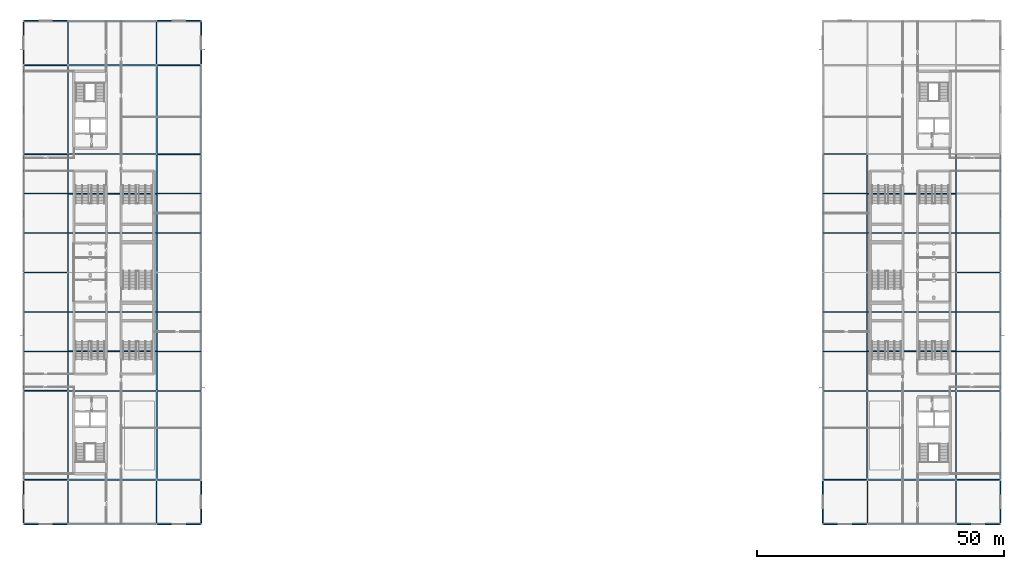
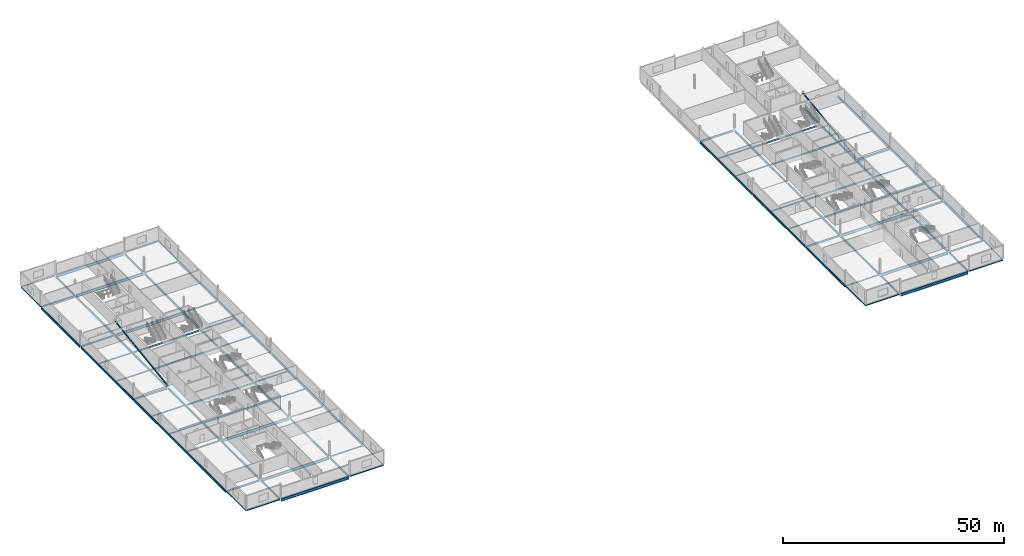
# One storey, part 9 of 27: 93 beams, 2 members.
"""IFC4 building model written with IfcOpenShell, lengths in metres."""

from ifc_helpers import new_model, si_unit, direction, frame, origin, origin_2d, place, context, subcontext, project, spatial, hollow_rectangle, i_section, extrude, material, material_profile, profile_set, type_object, element, save


model = new_model("IFC4")

# Units and contexts
model_context = context("Model", 3, precision=1e-05, world=origin(), true_north=direction((0.0, 1.0)))
body_context = subcontext(model_context, "Body", "Model", "MODEL_VIEW")
ifc_project = project(units=[si_unit("LENGTHUNIT", "METRE"), si_unit("AREAUNIT", "SQUARE_METRE"), si_unit("VOLUMEUNIT", "CUBIC_METRE"), si_unit("PLANEANGLEUNIT", "RADIAN"), si_unit("MASSUNIT", "GRAM", prefix="KILO")], contexts=[model_context])

# Site, building, storey
site_placement = place(None, origin())
site = spatial("IfcSite", under=ifc_project, at=site_placement, CompositionType="ELEMENT")
building_placement = place(site_placement, origin())
building = spatial("IfcBuilding", under=site, at=building_placement, Name="Kisiwana Market Hall", CompositionType="ELEMENT")
storey_placement = place(building_placement, frame((0.0, 0.0, 41.699951171875)))
storey = spatial("IfcBuildingStorey", under=building, at=storey_placement, Name="L09", CompositionType="ELEMENT", Elevation=41.699951171875)

# Beams
ifc_material_1 = material(Name="Steel S355", Category="steel")
ifc_material_profile_1 = material_profile(ifc_material_1, i_section(OverallWidth=0.260009765625, OverallDepth=0.260009765625, WebThickness=0.010009765625, FlangeThickness=0.017578125, FilletRadius=0.02392578125, at=origin_2d()), Name="HEB 260")
ifc_profile_set_1 = profile_set([ifc_material_profile_1], Name="Steel S355")
beam_type_1 = type_object("IfcBeamType", Name="BM-GIRD-HEB260", PredefinedType="BEAM", material=ifc_profile_set_1)
beam_1_placement = place(storey_placement, frame((27.14599609375, 18.0, -0.46484375), z_axis=(1.0, 0.0, 0.0), x_axis=(0.0, 1.0, 0.0)))
element("IfcBeam", 1, at=beam_1_placement, inside=storey, type_object=beam_type_1, Name="Floor beam B-2282", PredefinedType="BEAM", context=body_context, shape_type="SweptSolid", body=[
    extrude(i_section(OverallWidth=0.260009765625, OverallDepth=0.260009765625, WebThickness=0.010009765625, FlangeThickness=0.017578125, FilletRadius=0.02392578125, at=origin_2d()), origin(), (0.0, 0.0, 1.0), 8.748046875),
])
ifc_material_2 = material(Name="Steel S355", Category="steel")
ifc_material_profile_2 = material_profile(ifc_material_2, i_section(OverallWidth=0.179931640625, OverallDepth=0.39990234375, WebThickness=0.008544921875, FlangeThickness=0.013427734375, FilletRadius=0.02099609375, at=origin_2d()), Name="IPE 400")
ifc_profile_set_2 = profile_set([ifc_material_profile_2], Name="Steel S355")
beam_type_2 = type_object("IfcBeamType", Name="BM-GIRD-IPE400", PredefinedType="BEAM", material=ifc_profile_set_2)
beam_2_placement = place(storey_placement, frame((0.10595703125, 36.0, -0.534912109375), z_axis=(1.0, 0.0, 0.0), x_axis=(0.0, 1.0, 0.0)))
element("IfcBeam", 2, at=beam_2_placement, inside=storey, type_object=beam_type_2, Name="Floor beam B-2286", PredefinedType="BEAM", context=body_context, shape_type="SweptSolid", body=[
    extrude(i_section(OverallWidth=0.179931640625, OverallDepth=0.39990234375, WebThickness=0.008544921875, FlangeThickness=0.013427734375, FilletRadius=0.02099609375, at=origin_2d()), origin(), (0.0, 0.0, 1.0), 8.748046875),
])
ifc_material_3 = material(Name="Steel S355", Category="steel")
ifc_material_profile_3 = material_profile(ifc_material_3, i_section(OverallWidth=0.199951171875, OverallDepth=0.5, WebThickness=0.01025390625, FlangeThickness=0.01611328125, FilletRadius=0.02099609375, at=origin_2d()), Name="IPE 500")
ifc_profile_set_3 = profile_set([ifc_material_profile_3], Name="Steel S355")
beam_type_3 = type_object("IfcBeamType", Name="BM-GIRD-IPE500", PredefinedType="BEAM", material=ifc_profile_set_3)
beam_3_placement = place(storey_placement, frame((0.10595703125, 18.0, -0.5849609375), z_axis=(1.0, 0.0, 0.0), x_axis=(0.0, 1.0, 0.0)))
element("IfcBeam", 3, at=beam_3_placement, inside=storey, type_object=beam_type_3, Name="Floor beam B-2280", PredefinedType="BEAM", context=body_context, shape_type="SweptSolid", body=[
    extrude(i_section(OverallWidth=0.199951171875, OverallDepth=0.5, WebThickness=0.01025390625, FlangeThickness=0.01611328125, FilletRadius=0.02099609375, at=origin_2d()), origin(), (0.0, 0.0, 1.0), 8.748046875),
])
ifc_material_4 = material(Name="Steel S355", Category="steel")
ifc_material_profile_4 = material_profile(ifc_material_4, i_section(OverallWidth=0.2099609375, OverallDepth=0.550048828125, WebThickness=0.010986328125, FlangeThickness=0.01708984375, FilletRadius=0.02392578125, at=origin_2d()), Name="IPE 550")
ifc_profile_set_4 = profile_set([ifc_material_profile_4], Name="Steel S355")
beam_type_4 = type_object("IfcBeamType", Name="BM-GIRD-IPE550", PredefinedType="BEAM", material=ifc_profile_set_4)
beam_4_placement = place(storey_placement, frame((162.10595703125, 84.0, -0.60986328125), z_axis=(1.0, 0.0, 0.0), x_axis=(0.0, 1.0, 0.0)))
element("IfcBeam", 4, at=beam_4_placement, inside=storey, type_object=beam_type_4, Name="Floor beam B-2295", PredefinedType="BEAM", context=body_context, shape_type="SweptSolid", body=[
    extrude(i_section(OverallWidth=0.2099609375, OverallDepth=0.550048828125, WebThickness=0.010986328125, FlangeThickness=0.01708984375, FilletRadius=0.02392578125, at=origin_2d()), origin(), (0.0, 0.0, 1.0), 8.748046875),
])
ifc_material_5 = material(Name="Steel S355", Category="steel")
ifc_material_profile_5 = material_profile(ifc_material_5, i_section(OverallWidth=0.210693359375, OverallDepth=0.53955078125, WebThickness=0.01171875, FlangeThickness=0.018798828125, FilletRadius=0.0126953125, at=origin_2d()), Name="UB 533x210x109")
ifc_profile_set_5 = profile_set([ifc_material_profile_5], Name="Steel S355")
beam_type_5 = type_object("IfcBeamType", Name="BM-GIRD-UB109", PredefinedType="BEAM", material=ifc_profile_set_5)
beam_5_placement = place(storey_placement, frame((189.14599609375, 36.0, -0.604736328125), z_axis=(1.0, 0.0, 0.0), x_axis=(0.0, 1.0, 0.0)))
element("IfcBeam", 5, at=beam_5_placement, inside=storey, type_object=beam_type_5, Name="Floor beam B-2291", PredefinedType="BEAM", context=body_context, shape_type="SweptSolid", body=[
    extrude(i_section(OverallWidth=0.210693359375, OverallDepth=0.53955078125, WebThickness=0.01171875, FlangeThickness=0.018798828125, FilletRadius=0.0126953125, at=origin_2d()), origin(), (0.0, 0.0, 1.0), 8.748046875),
])
ifc_material_6 = material(Name="Steel S355", Category="steel")
ifc_material_profile_6 = material_profile(ifc_material_6, i_section(OverallWidth=0.19140625, OverallDepth=0.4599609375, WebThickness=0.010009765625, FlangeThickness=0.01611328125, at=origin_2d()), Name="UB 457x191x82")
ifc_profile_set_6 = profile_set([ifc_material_profile_6], Name="Steel S355")
beam_type_6 = type_object("IfcBeamType", Name="BM-GIRD-UB457H", PredefinedType="BEAM", material=ifc_profile_set_6)
beam_6_placement = place(storey_placement, frame((189.14599609375, 18.0, -0.56494140625), z_axis=(1.0, 0.0, 0.0), x_axis=(0.0, 1.0, 0.0)))
element("IfcBeam", 6, at=beam_6_placement, inside=storey, type_object=beam_type_6, Name="Floor beam B-2285", PredefinedType="BEAM", context=body_context, shape_type="SweptSolid", body=[
    extrude(i_section(OverallWidth=0.19140625, OverallDepth=0.4599609375, WebThickness=0.010009765625, FlangeThickness=0.01611328125, at=origin_2d()), origin(), (0.0, 0.0, 1.0), 8.748046875),
])
ifc_material_7 = material(Name="Steel S355", Category="steel")
ifc_material_profile_7 = material_profile(ifc_material_7, i_section(OverallWidth=0.209228515625, OverallDepth=0.533203125, WebThickness=0.010009765625, FlangeThickness=0.015625, at=origin_2d()), Name="UB 533x210x92")
ifc_profile_set_7 = profile_set([ifc_material_profile_7], Name="Steel S355")
beam_type_7 = type_object("IfcBeamType", Name="BM-GIRD-UB533", PredefinedType="BEAM", material=ifc_profile_set_7)
for number, where, z_axis, x_axis, name in (
    (7, (162.10595703125, 36.0, -0.6015625), (1.0, 0.0, 0.0), (0.0, 1.0, 0.0), "Floor beam B-2289"),
    (8, (0.10595703125, 60.0, -0.6015625), (1.0, 0.0, 0.0), (0.0, 1.0, 0.0), "Primary girder B-2224"),
    (9, (189.14599609375, 60.0, -0.6015625), (1.0, 0.0, 0.0), (0.0, 1.0, 0.0), "Primary girder B-2225"),
):
    element("IfcBeam", number, at=place(storey_placement, frame(where, z_axis=z_axis, x_axis=x_axis)), inside=storey, type_object=beam_type_7, Name=name, PredefinedType="BEAM", context=body_context, shape_type="SweptSolid", body=[
        extrude(i_section(OverallWidth=0.209228515625, OverallDepth=0.533203125, WebThickness=0.010009765625, FlangeThickness=0.015625, at=origin_2d()), origin(), (0.0, 0.0, 1.0), 8.748046875),
    ])
for number, where, z_axis, x_axis, name in (
    (10, (9.0, 9.14599609375, -0.6015625), (0.0, 1.0, 0.0), (-1.0, 0.0, 0.0), "Primary girder B-2226"),
    (11, (9.0, 102.14599609375, -0.6015625), (0.0, 1.0, 0.0), (-1.0, 0.0, 0.0), "Primary girder B-2231"),
    (12, (27.0, 9.14599609375, -0.6015625), (0.0, 1.0, 0.0), (-1.0, 0.0, 0.0), "Primary girder B-2232"),
    (13, (27.0, 102.14599609375, -0.6015625), (0.0, 1.0, 0.0), (-1.0, 0.0, 0.0), "Primary girder B-2235"),
    (14, (171.0, 9.14599609375, -0.6015625), (0.0, 1.0, 0.0), (-1.0, 0.0, 0.0), "Primary girder B-2240"),
    (15, (189.0, 9.14599609375, -0.6015625), (0.0, 1.0, 0.0), (-1.0, 0.0, 0.0), "Primary girder B-2244"),
):
    element("IfcBeam", number, at=place(storey_placement, frame(where, z_axis=z_axis, x_axis=x_axis)), inside=storey, type_object=beam_type_7, Name=name, PredefinedType="BEAM", context=body_context, shape_type="SweptSolid", body=[
        extrude(i_section(OverallWidth=0.209228515625, OverallDepth=0.533203125, WebThickness=0.010009765625, FlangeThickness=0.015625, at=origin_2d()), origin(), (0.0, 0.0, 1.0), 8.7080078125),
    ])
ifc_material_8 = material(Name="Steel S355", Category="steel")
ifc_material_profile_8 = material_profile(ifc_material_8, i_section(OverallWidth=0.22900390625, OverallDepth=0.6123046875, WebThickness=0.011962890625, FlangeThickness=0.01953125, at=origin_2d()), Name="UB 610x229x125")
ifc_profile_set_8 = profile_set([ifc_material_profile_8], Name="Steel S355")
beam_type_8 = type_object("IfcBeamType", Name="BM-GIRD-UB610H", PredefinedType="BEAM", material=ifc_profile_set_8)
beam_7_placement = place(storey_placement, frame((0.0, 18.10595703125, -0.64111328125), z_axis=(0.0, 1.0, 0.0), x_axis=(-1.0, 0.0, 0.0)))
element("IfcBeam", 16, at=beam_7_placement, inside=storey, type_object=beam_type_8, Name="Floor beam B-2311", PredefinedType="BEAM", context=body_context, shape_type="SweptSolid", body=[
    extrude(i_section(OverallWidth=0.22900390625, OverallDepth=0.6123046875, WebThickness=0.011962890625, FlangeThickness=0.01953125, at=origin_2d()), origin(), (0.0, 0.0, 1.0), 17.7880859375),
])
for number, where, z_axis, x_axis, name in (
    (17, (0.0, 36.10595703125, -0.64111328125), (0.0, 1.0, 0.0), (-1.0, 0.0, 0.0), "Floor beam B-2312"),
    (18, (0.0, 60.10595703125, -0.64111328125), (0.0, 1.0, 0.0), (-1.0, 0.0, 0.0), "Floor beam B-2313"),
):
    element("IfcBeam", number, at=place(storey_placement, frame(where, z_axis=z_axis, x_axis=x_axis)), inside=storey, type_object=beam_type_8, Name=name, PredefinedType="BEAM", context=body_context, shape_type="SweptSolid", body=[
        extrude(i_section(OverallWidth=0.22900390625, OverallDepth=0.6123046875, WebThickness=0.011962890625, FlangeThickness=0.01953125, at=origin_2d()), origin(), (0.0, 0.0, 1.0), 23.7880859375),
    ])
beam_8_placement = place(storey_placement, frame((0.0, 84.10595703125, -0.64111328125), z_axis=(0.0, 1.0, 0.0), x_axis=(-1.0, 0.0, 0.0)))
element("IfcBeam", 19, at=beam_8_placement, inside=storey, type_object=beam_type_8, Name="Floor beam B-2314", PredefinedType="BEAM", context=body_context, shape_type="SweptSolid", body=[
    extrude(i_section(OverallWidth=0.22900390625, OverallDepth=0.6123046875, WebThickness=0.011962890625, FlangeThickness=0.01953125, at=origin_2d()), origin(), (0.0, 0.0, 1.0), 17.7880859375),
])
for number, where, z_axis, x_axis, name in (
    (20, (27.0, 36.14599609375, -0.64111328125), (0.0, 1.0, 0.0), (-1.0, 0.0, 0.0), "Floor beam B-2316"),
    (21, (27.0, 60.14599609375, -0.64111328125), (0.0, 1.0, 0.0), (-1.0, 0.0, 0.0), "Floor beam B-2317"),
):
    element("IfcBeam", number, at=place(storey_placement, frame(where, z_axis=z_axis, x_axis=x_axis)), inside=storey, type_object=beam_type_8, Name=name, PredefinedType="BEAM", context=body_context, shape_type="SweptSolid", body=[
        extrude(i_section(OverallWidth=0.22900390625, OverallDepth=0.6123046875, WebThickness=0.011962890625, FlangeThickness=0.01953125, at=origin_2d()), origin(), (0.0, 0.0, 1.0), 23.7080078125),
    ])
for number, where, z_axis, x_axis, name in (
    (22, (36.0, 18.10595703125, -0.64111328125), (0.0, 1.0, 0.0), (-1.0, 0.0, 0.0), "Floor beam B-2319"),
    (23, (36.0, 84.10595703125, -0.64111328125), (0.0, 1.0, 0.0), (-1.0, 0.0, 0.0), "Floor beam B-2320"),
    (24, (162.0, 18.10595703125, -0.64111328125), (0.0, 1.0, 0.0), (-1.0, 0.0, 0.0), "Floor beam B-2323"),
):
    element("IfcBeam", number, at=place(storey_placement, frame(where, z_axis=z_axis, x_axis=x_axis)), inside=storey, type_object=beam_type_8, Name=name, PredefinedType="BEAM", context=body_context, shape_type="SweptSolid", body=[
        extrude(i_section(OverallWidth=0.22900390625, OverallDepth=0.6123046875, WebThickness=0.011962890625, FlangeThickness=0.01953125, at=origin_2d()), origin(), (0.0, 0.0, 1.0), 17.7880859375),
    ])
for number, where, z_axis, x_axis, name in (
    (25, (171.0, 36.14599609375, -0.64111328125), (0.0, 1.0, 0.0), (-1.0, 0.0, 0.0), "Floor beam B-2326"),
    (26, (171.0, 60.14599609375, -0.64111328125), (0.0, 1.0, 0.0), (-1.0, 0.0, 0.0), "Floor beam B-2327"),
):
    element("IfcBeam", number, at=place(storey_placement, frame(where, z_axis=z_axis, x_axis=x_axis)), inside=storey, type_object=beam_type_8, Name=name, PredefinedType="BEAM", context=body_context, shape_type="SweptSolid", body=[
        extrude(i_section(OverallWidth=0.22900390625, OverallDepth=0.6123046875, WebThickness=0.011962890625, FlangeThickness=0.01953125, at=origin_2d()), origin(), (0.0, 0.0, 1.0), 23.7080078125),
    ])
beam_9_placement = place(storey_placement, frame((198.0, 18.10595703125, -0.64111328125), z_axis=(0.0, 1.0, 0.0), x_axis=(-1.0, 0.0, 0.0)))
element("IfcBeam", 27, at=beam_9_placement, inside=storey, type_object=beam_type_8, Name="Floor beam B-2329", PredefinedType="BEAM", context=body_context, shape_type="SweptSolid", body=[
    extrude(i_section(OverallWidth=0.22900390625, OverallDepth=0.6123046875, WebThickness=0.011962890625, FlangeThickness=0.01953125, at=origin_2d()), origin(), (0.0, 0.0, 1.0), 17.7880859375),
])
for number, where, z_axis, x_axis, name in (
    (28, (198.0, 36.10595703125, -0.64111328125), (0.0, 1.0, 0.0), (-1.0, 0.0, 0.0), "Floor beam B-2330"),
    (29, (198.0, 60.10595703125, -0.64111328125), (0.0, 1.0, 0.0), (-1.0, 0.0, 0.0), "Floor beam B-2331"),
):
    element("IfcBeam", number, at=place(storey_placement, frame(where, z_axis=z_axis, x_axis=x_axis)), inside=storey, type_object=beam_type_8, Name=name, PredefinedType="BEAM", context=body_context, shape_type="SweptSolid", body=[
        extrude(i_section(OverallWidth=0.22900390625, OverallDepth=0.6123046875, WebThickness=0.011962890625, FlangeThickness=0.01953125, at=origin_2d()), origin(), (0.0, 0.0, 1.0), 23.7880859375),
    ])
beam_10_placement = place(storey_placement, frame((9.0, 18.14599609375, -0.64111328125), z_axis=(0.0, 1.0, 0.0), x_axis=(-1.0, 0.0, 0.0)))
element("IfcBeam", 30, at=beam_10_placement, inside=storey, type_object=beam_type_8, Name="Primary girder B-2227", PredefinedType="BEAM", context=body_context, shape_type="SweptSolid", body=[
    extrude(i_section(OverallWidth=0.22900390625, OverallDepth=0.6123046875, WebThickness=0.011962890625, FlangeThickness=0.01953125, at=origin_2d()), origin(), (0.0, 0.0, 1.0), 17.7080078125),
])
for number, where, z_axis, x_axis, name in (
    (31, (9.0, 36.14599609375, -0.64111328125), (0.0, 1.0, 0.0), (-1.0, 0.0, 0.0), "Primary girder B-2228"),
    (32, (9.0, 60.14599609375, -0.64111328125), (0.0, 1.0, 0.0), (-1.0, 0.0, 0.0), "Primary girder B-2229"),
):
    element("IfcBeam", number, at=place(storey_placement, frame(where, z_axis=z_axis, x_axis=x_axis)), inside=storey, type_object=beam_type_8, Name=name, PredefinedType="BEAM", context=body_context, shape_type="SweptSolid", body=[
        extrude(i_section(OverallWidth=0.22900390625, OverallDepth=0.6123046875, WebThickness=0.011962890625, FlangeThickness=0.01953125, at=origin_2d()), origin(), (0.0, 0.0, 1.0), 23.7080078125),
    ])
for number, where, z_axis, x_axis, name in (
    (33, (9.0, 84.14599609375, -0.64111328125), (0.0, 1.0, 0.0), (-1.0, 0.0, 0.0), "Primary girder B-2230"),
    (34, (27.0, 18.14599609375, -0.64111328125), (0.0, 1.0, 0.0), (-1.0, 0.0, 0.0), "Primary girder B-2233"),
    (35, (27.0, 84.14599609375, -0.64111328125), (0.0, 1.0, 0.0), (-1.0, 0.0, 0.0), "Primary girder B-2234"),
):
    element("IfcBeam", number, at=place(storey_placement, frame(where, z_axis=z_axis, x_axis=x_axis)), inside=storey, type_object=beam_type_8, Name=name, PredefinedType="BEAM", context=body_context, shape_type="SweptSolid", body=[
        extrude(i_section(OverallWidth=0.22900390625, OverallDepth=0.6123046875, WebThickness=0.011962890625, FlangeThickness=0.01953125, at=origin_2d()), origin(), (0.0, 0.0, 1.0), 17.7080078125),
    ])
for number, where, z_axis, x_axis, name in (
    (36, (36.0, 36.10595703125, -0.64111328125), (0.0, 1.0, 0.0), (-1.0, 0.0, 0.0), "Primary girder B-2236"),
    (37, (36.0, 60.10595703125, -0.64111328125), (0.0, 1.0, 0.0), (-1.0, 0.0, 0.0), "Primary girder B-2237"),
    (38, (162.0, 36.10595703125, -0.64111328125), (0.0, 1.0, 0.0), (-1.0, 0.0, 0.0), "Primary girder B-2238"),
    (39, (162.0, 60.10595703125, -0.64111328125), (0.0, 1.0, 0.0), (-1.0, 0.0, 0.0), "Primary girder B-2239"),
):
    element("IfcBeam", number, at=place(storey_placement, frame(where, z_axis=z_axis, x_axis=x_axis)), inside=storey, type_object=beam_type_8, Name=name, PredefinedType="BEAM", context=body_context, shape_type="SweptSolid", body=[
        extrude(i_section(OverallWidth=0.22900390625, OverallDepth=0.6123046875, WebThickness=0.011962890625, FlangeThickness=0.01953125, at=origin_2d()), origin(), (0.0, 0.0, 1.0), 23.7880859375),
    ])
for number, where, z_axis, x_axis, name in (
    (40, (171.0, 18.14599609375, -0.64111328125), (0.0, 1.0, 0.0), (-1.0, 0.0, 0.0), "Primary girder B-2241"),
    (41, (189.0, 18.14599609375, -0.64111328125), (0.0, 1.0, 0.0), (-1.0, 0.0, 0.0), "Primary girder B-2245"),
):
    element("IfcBeam", number, at=place(storey_placement, frame(where, z_axis=z_axis, x_axis=x_axis)), inside=storey, type_object=beam_type_8, Name=name, PredefinedType="BEAM", context=body_context, shape_type="SweptSolid", body=[
        extrude(i_section(OverallWidth=0.22900390625, OverallDepth=0.6123046875, WebThickness=0.011962890625, FlangeThickness=0.01953125, at=origin_2d()), origin(), (0.0, 0.0, 1.0), 17.7080078125),
    ])
for number, where, z_axis, x_axis, name in (
    (42, (189.0, 36.14599609375, -0.64111328125), (0.0, 1.0, 0.0), (-1.0, 0.0, 0.0), "Primary girder B-2246"),
    (43, (189.0, 60.14599609375, -0.64111328125), (0.0, 1.0, 0.0), (-1.0, 0.0, 0.0), "Primary girder B-2247"),
):
    element("IfcBeam", number, at=place(storey_placement, frame(where, z_axis=z_axis, x_axis=x_axis)), inside=storey, type_object=beam_type_8, Name=name, PredefinedType="BEAM", context=body_context, shape_type="SweptSolid", body=[
        extrude(i_section(OverallWidth=0.22900390625, OverallDepth=0.6123046875, WebThickness=0.011962890625, FlangeThickness=0.01953125, at=origin_2d()), origin(), (0.0, 0.0, 1.0), 23.7080078125),
    ])
ifc_material_9 = material(Name="Steel S355", Category="steel")
ifc_material_profile_9 = material_profile(ifc_material_9, i_section(OverallWidth=0.2666015625, OverallDepth=0.76220703125, WebThickness=0.014404296875, FlangeThickness=0.021484375, at=origin_2d()), Name="UB 762x267x173")
ifc_profile_set_9 = profile_set([ifc_material_profile_9], Name="Steel S355")
beam_type_9 = type_object("IfcBeamType", Name="BM-GIRD-UB762", PredefinedType="BEAM", material=ifc_profile_set_9)
for number, where, z_axis, x_axis, name in (
    (44, (9.14599609375, 9.0, -0.716064453125), (1.0, 0.0, 0.0), (0.0, 1.0, 0.0), "Floor beam B-2275"),
    (45, (171.14599609375, 9.0, -0.716064453125), (1.0, 0.0, 0.0), (0.0, 1.0, 0.0), "Floor beam B-2278"),
    (46, (9.14599609375, 18.0, -0.716064453125), (1.0, 0.0, 0.0), (0.0, 1.0, 0.0), "Floor beam B-2281"),
    (47, (171.14599609375, 18.0, -0.716064453125), (1.0, 0.0, 0.0), (0.0, 1.0, 0.0), "Floor beam B-2284"),
    (48, (9.14599609375, 36.0, -0.716064453125), (1.0, 0.0, 0.0), (0.0, 1.0, 0.0), "Floor beam B-2287"),
    (49, (171.14599609375, 36.0, -0.716064453125), (1.0, 0.0, 0.0), (0.0, 1.0, 0.0), "Floor beam B-2290"),
    (50, (9.14599609375, 84.0, -0.716064453125), (1.0, 0.0, 0.0), (0.0, 1.0, 0.0), "Floor beam B-2293"),
    (51, (9.14599609375, 102.0, -0.716064453125), (1.0, 0.0, 0.0), (0.0, 1.0, 0.0), "Floor beam B-2299"),
    (52, (9.14599609375, 111.0, -0.716064453125), (1.0, 0.0, 0.0), (0.0, 1.0, 0.0), "Floor beam B-2305"),
):
    element("IfcBeam", number, at=place(storey_placement, frame(where, z_axis=z_axis, x_axis=x_axis)), inside=storey, type_object=beam_type_9, Name=name, PredefinedType="BEAM", context=body_context, shape_type="SweptSolid", body=[
        extrude(i_section(OverallWidth=0.2666015625, OverallDepth=0.76220703125, WebThickness=0.014404296875, FlangeThickness=0.021484375, at=origin_2d()), origin(), (0.0, 0.0, 1.0), 17.7080078125),
    ])
ifc_material_10 = material(Name="Steel S355", Category="steel")
ifc_material_profile_10 = material_profile(ifc_material_10, i_section(OverallWidth=0.159912109375, OverallDepth=0.330078125, WebThickness=0.007568359375, FlangeThickness=0.011474609375, FilletRadius=0.01806640625, at=origin_2d()), Name="IPE 330")
ifc_profile_set_10 = profile_set([ifc_material_profile_10], Name="Steel S355")
beam_type_10 = type_object("IfcBeamType", Name="BM-JOIST-IPE330", PredefinedType="JOIST", material=ifc_profile_set_10)
beam_11_placement = place(storey_placement, frame((27.14599609375, 36.0, -0.5), z_axis=(1.0, 0.0, 0.0), x_axis=(0.0, 1.0, 0.0)))
element("IfcBeam", 53, at=beam_11_placement, inside=storey, type_object=beam_type_10, Name="Floor beam B-2288", PredefinedType="JOIST", context=body_context, shape_type="SweptSolid", body=[
    extrude(i_section(OverallWidth=0.159912109375, OverallDepth=0.330078125, WebThickness=0.007568359375, FlangeThickness=0.011474609375, FilletRadius=0.01806640625, at=origin_2d()), origin(), (0.0, 0.0, 1.0), 8.748046875),
])
ifc_material_11 = material(Name="Steel S355", Category="steel")
ifc_material_profile_11 = material_profile(ifc_material_11, i_section(OverallWidth=0.1708984375, OverallDepth=0.351318359375, WebThickness=0.007080078125, FlangeThickness=0.009765625, FilletRadius=0.01025390625, at=origin_2d()), Name="UB 356x171x45")
ifc_profile_set_11 = profile_set([ifc_material_profile_11], Name="Steel S355")
beam_type_11 = type_object("IfcBeamType", Name="BM-JOIST-UB045", PredefinedType="JOIST", material=ifc_profile_set_11)
beam_12_placement = place(storey_placement, frame((27.14599609375, 102.0, -0.5107421875), z_axis=(1.0, 0.0, 0.0), x_axis=(0.0, 1.0, 0.0)))
element("IfcBeam", 54, at=beam_12_placement, inside=storey, type_object=beam_type_11, Name="Floor beam B-2300", PredefinedType="JOIST", context=body_context, shape_type="SweptSolid", body=[
    extrude(i_section(OverallWidth=0.1708984375, OverallDepth=0.351318359375, WebThickness=0.007080078125, FlangeThickness=0.009765625, FilletRadius=0.01025390625, at=origin_2d()), origin(), (0.0, 0.0, 1.0), 8.748046875),
])
ifc_material_12 = material(Name="Steel S355", Category="steel")
ifc_material_profile_12 = material_profile(ifc_material_12, i_section(OverallWidth=0.177978515625, OverallDepth=0.406494140625, WebThickness=0.0078125, FlangeThickness=0.0126953125, FilletRadius=0.01025390625, at=origin_2d()), Name="UB 406x178x60")
ifc_profile_set_12 = profile_set([ifc_material_profile_12], Name="Steel S355")
beam_type_12 = type_object("IfcBeamType", Name="BM-JOIST-UB060", PredefinedType="JOIST", material=ifc_profile_set_12)
beam_13_placement = place(storey_placement, frame((27.14599609375, 84.0, -0.5380859375), z_axis=(1.0, 0.0, 0.0), x_axis=(0.0, 1.0, 0.0)))
element("IfcBeam", 55, at=beam_13_placement, inside=storey, type_object=beam_type_12, Name="Floor beam B-2294", PredefinedType="JOIST", context=body_context, shape_type="SweptSolid", body=[
    extrude(i_section(OverallWidth=0.177978515625, OverallDepth=0.406494140625, WebThickness=0.0078125, FlangeThickness=0.0126953125, FilletRadius=0.01025390625, at=origin_2d()), origin(), (0.0, 0.0, 1.0), 8.748046875),
])
ifc_material_13 = material(Name="Steel S355", Category="steel")
ifc_material_profile_13 = material_profile(ifc_material_13, i_section(OverallWidth=0.165771484375, OverallDepth=0.306640625, WebThickness=0.006591796875, FlangeThickness=0.01171875, at=origin_2d()), Name="UB 305x165x46")
ifc_profile_set_13 = profile_set([ifc_material_profile_13], Name="Steel S355")
beam_type_13 = type_object("IfcBeamType", Name="BM-JOIST-UB305H", PredefinedType="JOIST", material=ifc_profile_set_13)
for number, where, z_axis, x_axis, name in (
    (56, (0.113525390625, 44.0, -0.48828125), (1.0, 0.0, 0.0), (0.0, 1.0, 0.0), "Secondary floor joist B-2250"),
    (57, (27.113525390625, 44.0, -0.48828125), (1.0, 0.0, 0.0), (0.0, 1.0, 0.0), "Secondary floor joist B-2252"),
    (58, (162.113525390625, 44.0, -0.48828125), (1.0, 0.0, 0.0), (0.0, 1.0, 0.0), "Secondary floor joist B-2253"),
    (59, (189.113525390625, 44.0, -0.48828125), (1.0, 0.0, 0.0), (0.0, 1.0, 0.0), "Secondary floor joist B-2255"),
    (60, (0.113525390625, 52.0, -0.48828125), (1.0, 0.0, 0.0), (0.0, 1.0, 0.0), "Secondary floor joist B-2256"),
    (61, (27.113525390625, 52.0, -0.48828125), (1.0, 0.0, 0.0), (0.0, 1.0, 0.0), "Secondary floor joist B-2258"),
    (62, (162.113525390625, 52.0, -0.48828125), (1.0, 0.0, 0.0), (0.0, 1.0, 0.0), "Secondary floor joist B-2259"),
    (63, (189.113525390625, 52.0, -0.48828125), (1.0, 0.0, 0.0), (0.0, 1.0, 0.0), "Secondary floor joist B-2261"),
    (64, (0.113525390625, 68.0, -0.48828125), (1.0, 0.0, 0.0), (0.0, 1.0, 0.0), "Secondary floor joist B-2262"),
    (65, (27.113525390625, 68.0, -0.48828125), (1.0, 0.0, 0.0), (0.0, 1.0, 0.0), "Secondary floor joist B-2264"),
    (66, (162.113525390625, 68.0, -0.48828125), (1.0, 0.0, 0.0), (0.0, 1.0, 0.0), "Secondary floor joist B-2265"),
    (67, (189.113525390625, 68.0, -0.48828125), (1.0, 0.0, 0.0), (0.0, 1.0, 0.0), "Secondary floor joist B-2267"),
    (68, (0.113525390625, 76.0, -0.48828125), (1.0, 0.0, 0.0), (0.0, 1.0, 0.0), "Secondary floor joist B-2268"),
    (69, (27.113525390625, 76.0, -0.48828125), (1.0, 0.0, 0.0), (0.0, 1.0, 0.0), "Secondary floor joist B-2270"),
    (70, (162.113525390625, 76.0, -0.48828125), (1.0, 0.0, 0.0), (0.0, 1.0, 0.0), "Secondary floor joist B-2271"),
):
    element("IfcBeam", number, at=place(storey_placement, frame(where, z_axis=z_axis, x_axis=x_axis)), inside=storey, type_object=beam_type_13, Name=name, PredefinedType="JOIST", context=body_context, shape_type="SweptSolid", body=[
        extrude(i_section(OverallWidth=0.165771484375, OverallDepth=0.306640625, WebThickness=0.006591796875, FlangeThickness=0.01171875, at=origin_2d()), origin(), (0.0, 0.0, 1.0), 8.77294921875),
    ])
ifc_material_14 = material(Name="Steel S355", Category="steel")
ifc_material_profile_14 = material_profile(ifc_material_14, i_section(OverallWidth=0.177734375, OverallDepth=0.402587890625, WebThickness=0.0078125, FlangeThickness=0.010986328125, at=origin_2d()), Name="UB 406x178x54")
ifc_profile_set_14 = profile_set([ifc_material_profile_14], Name="Steel S355")
beam_type_14 = type_object("IfcBeamType", Name="BM-JOIST-UB406", PredefinedType="JOIST", material=ifc_profile_set_14)
beam_14_placement = place(storey_placement, frame((0.10595703125, 102.0, -0.5361328125), z_axis=(1.0, 0.0, 0.0), x_axis=(0.0, 1.0, 0.0)))
element("IfcBeam", 71, at=beam_14_placement, inside=storey, type_object=beam_type_14, Name="Floor beam B-2298", PredefinedType="JOIST", context=body_context, shape_type="SweptSolid", body=[
    extrude(i_section(OverallWidth=0.177734375, OverallDepth=0.402587890625, WebThickness=0.0078125, FlangeThickness=0.010986328125, at=origin_2d()), origin(), (0.0, 0.0, 1.0), 8.748046875),
])
ifc_material_15 = material(Name="Steel S355", Category="steel")
ifc_material_profile_15 = material_profile(ifc_material_15, i_section(OverallWidth=0.18994140625, OverallDepth=0.453369140625, WebThickness=0.008544921875, FlangeThickness=0.0126953125, at=origin_2d()), Name="UB 457x191x67")
ifc_profile_set_15 = profile_set([ifc_material_profile_15], Name="Steel S355")
beam_type_15 = type_object("IfcBeamType", Name="BM-JOIST-UB457", PredefinedType="JOIST", material=ifc_profile_set_15)
beam_15_placement = place(storey_placement, frame((0.10595703125, 84.0, -0.561767578125), z_axis=(1.0, 0.0, 0.0), x_axis=(0.0, 1.0, 0.0)))
element("IfcBeam", 72, at=beam_15_placement, inside=storey, type_object=beam_type_15, Name="Floor beam B-2292", PredefinedType="JOIST", context=body_context, shape_type="SweptSolid", body=[
    extrude(i_section(OverallWidth=0.18994140625, OverallDepth=0.453369140625, WebThickness=0.008544921875, FlangeThickness=0.0126953125, at=origin_2d()), origin(), (0.0, 0.0, 1.0), 8.748046875),
])
for number, where, z_axis, x_axis, name in (
    (73, (9.113525390625, 44.0, -0.561767578125), (1.0, 0.0, 0.0), (0.0, 1.0, 0.0), "Secondary floor joist B-2251"),
    (74, (171.113525390625, 44.0, -0.561767578125), (1.0, 0.0, 0.0), (0.0, 1.0, 0.0), "Secondary floor joist B-2254"),
    (75, (9.113525390625, 52.0, -0.561767578125), (1.0, 0.0, 0.0), (0.0, 1.0, 0.0), "Secondary floor joist B-2257"),
    (76, (171.113525390625, 52.0, -0.561767578125), (1.0, 0.0, 0.0), (0.0, 1.0, 0.0), "Secondary floor joist B-2260"),
    (77, (9.113525390625, 68.0, -0.561767578125), (1.0, 0.0, 0.0), (0.0, 1.0, 0.0), "Secondary floor joist B-2263"),
    (78, (171.113525390625, 68.0, -0.561767578125), (1.0, 0.0, 0.0), (0.0, 1.0, 0.0), "Secondary floor joist B-2266"),
    (79, (9.113525390625, 76.0, -0.561767578125), (1.0, 0.0, 0.0), (0.0, 1.0, 0.0), "Secondary floor joist B-2269"),
    (80, (171.113525390625, 76.0, -0.561767578125), (1.0, 0.0, 0.0), (0.0, 1.0, 0.0), "Secondary floor joist B-2272"),
):
    element("IfcBeam", number, at=place(storey_placement, frame(where, z_axis=z_axis, x_axis=x_axis)), inside=storey, type_object=beam_type_15, Name=name, PredefinedType="JOIST", context=body_context, shape_type="SweptSolid", body=[
        extrude(i_section(OverallWidth=0.18994140625, OverallDepth=0.453369140625, WebThickness=0.008544921875, FlangeThickness=0.0126953125, at=origin_2d()), origin(), (0.0, 0.0, 1.0), 17.77294921875),
    ])
ifc_material_16 = material(Name="Steel S355", Category="steel")
ifc_material_profile_16 = material_profile(ifc_material_16, hollow_rectangle(XDim=0.14990234375, YDim=0.25, WallThickness=0.010009765625, at=origin_2d()), Name="RHS 250x150x10.0")
ifc_profile_set_16 = profile_set([ifc_material_profile_16], Name="Steel S355")
beam_type_16 = type_object("IfcBeamType", Name="BM-SPAN-RHS250", PredefinedType="SPANDREL", material=ifc_profile_set_16)
for number, where, z_axis, x_axis, name in (
    (81, (0.10595703125, 9.0, -0.4599609375), (1.0, 0.0, 0.0), (0.0, 1.0, 0.0), "Floor beam B-2274"),
    (82, (27.14599609375, 9.0, -0.4599609375), (1.0, 0.0, 0.0), (0.0, 1.0, 0.0), "Floor beam B-2276"),
    (83, (162.10595703125, 9.0, -0.4599609375), (1.0, 0.0, 0.0), (0.0, 1.0, 0.0), "Floor beam B-2277"),
    (84, (189.14599609375, 9.0, -0.4599609375), (1.0, 0.0, 0.0), (0.0, 1.0, 0.0), "Floor beam B-2279"),
    (85, (0.10595703125, 111.0, -0.4599609375), (1.0, 0.0, 0.0), (0.0, 1.0, 0.0), "Floor beam B-2304"),
    (86, (27.14599609375, 111.0, -0.4599609375), (1.0, 0.0, 0.0), (0.0, 1.0, 0.0), "Floor beam B-2306"),
):
    element("IfcBeam", number, at=place(storey_placement, frame(where, z_axis=z_axis, x_axis=x_axis)), inside=storey, type_object=beam_type_16, Name=name, PredefinedType="SPANDREL", context=body_context, shape_type="SweptSolid", body=[
        extrude(hollow_rectangle(XDim=0.14990234375, YDim=0.25, WallThickness=0.010009765625, at=origin_2d()), origin(), (0.0, 0.0, 1.0), 8.748046875),
    ])
for number, where, z_axis, x_axis, name in (
    (87, (0.0, 9.10595703125, -0.4599609375), (0.0, 1.0, 0.0), (-1.0, 0.0, 0.0), "Floor beam B-2310"),
    (88, (0.0, 102.10595703125, -0.4599609375), (0.0, 1.0, 0.0), (-1.0, 0.0, 0.0), "Floor beam B-2315"),
    (89, (36.0, 9.10595703125, -0.4599609375), (0.0, 1.0, 0.0), (-1.0, 0.0, 0.0), "Floor beam B-2318"),
    (90, (36.0, 102.10595703125, -0.4599609375), (0.0, 1.0, 0.0), (-1.0, 0.0, 0.0), "Floor beam B-2321"),
    (91, (162.0, 9.10595703125, -0.4599609375), (0.0, 1.0, 0.0), (-1.0, 0.0, 0.0), "Floor beam B-2322"),
    (92, (198.0, 9.10595703125, -0.4599609375), (0.0, 1.0, 0.0), (-1.0, 0.0, 0.0), "Floor beam B-2328"),
):
    element("IfcBeam", number, at=place(storey_placement, frame(where, z_axis=z_axis, x_axis=x_axis)), inside=storey, type_object=beam_type_16, Name=name, PredefinedType="SPANDREL", context=body_context, shape_type="SweptSolid", body=[
        extrude(hollow_rectangle(XDim=0.14990234375, YDim=0.25, WallThickness=0.010009765625, at=origin_2d()), origin(), (0.0, 0.0, 1.0), 8.7880859375),
    ])
ifc_material_17 = material(Name="Steel S355", Category="steel")
ifc_material_profile_17 = material_profile(ifc_material_17, hollow_rectangle(XDim=0.14990234375, YDim=0.300048828125, WallThickness=0.010009765625, at=origin_2d()), Name="RHS 300x150x10")
ifc_profile_set_17 = profile_set([ifc_material_profile_17], Name="Steel S355")
beam_type_17 = type_object("IfcBeamType", Name="BM-SPAN-RHS300", PredefinedType="SPANDREL", material=ifc_profile_set_17)
beam_16_placement = place(storey_placement, frame((162.10595703125, 18.0, -0.48486328125), z_axis=(1.0, 0.0, 0.0), x_axis=(0.0, 1.0, 0.0)))
element("IfcBeam", 93, at=beam_16_placement, inside=storey, type_object=beam_type_17, Name="Floor beam B-2283", PredefinedType="SPANDREL", context=body_context, shape_type="SweptSolid", body=[
    extrude(hollow_rectangle(XDim=0.14990234375, YDim=0.300048828125, WallThickness=0.010009765625, at=origin_2d()), origin(), (0.0, 0.0, 1.0), 8.748046875),
])

# Members
ifc_material_18 = material(Name="Steel S355", Category="steel")
ifc_material_profile_18 = material_profile(ifc_material_18, hollow_rectangle(XDim=0.25, YDim=0.25, WallThickness=0.012451171875, at=origin_2d()), Name="SHS 250x250x12.5")
ifc_profile_set_18 = profile_set([ifc_material_profile_18], Name="Steel S355")
member_type = type_object("IfcMemberType", Name="MB-CBF-SHS250", PredefinedType="BRACE", material=ifc_profile_set_18)
for number, where, z_axis, x_axis, name in (
    (94, (9.0, 60.0, 0.0), (0.0, 0.990370167022, 0.1384446903), (-1.0, 0.0, 0.0), "CBF-W-S diagonal brace (L09) M-0037"),
    (95, (189.0, 60.0, 0.0), (0.0, 0.990370167022, 0.1384446903), (-1.0, 0.0, 0.0), "CBF-E-S diagonal brace (L09) M-0038"),
):
    element("IfcMember", number, at=place(storey_placement, frame(where, z_axis=z_axis, x_axis=x_axis)), inside=storey, type_object=member_type, Name=name, PredefinedType="BRACE", context=body_context, shape_type="SweptSolid", body=[
        extrude(hollow_rectangle(XDim=0.25, YDim=0.25, WallThickness=0.012451171875, at=origin_2d()), origin(), (0.0, 0.0, 1.0), 24.2333984375),
    ])

save(model, "model.ifc")
